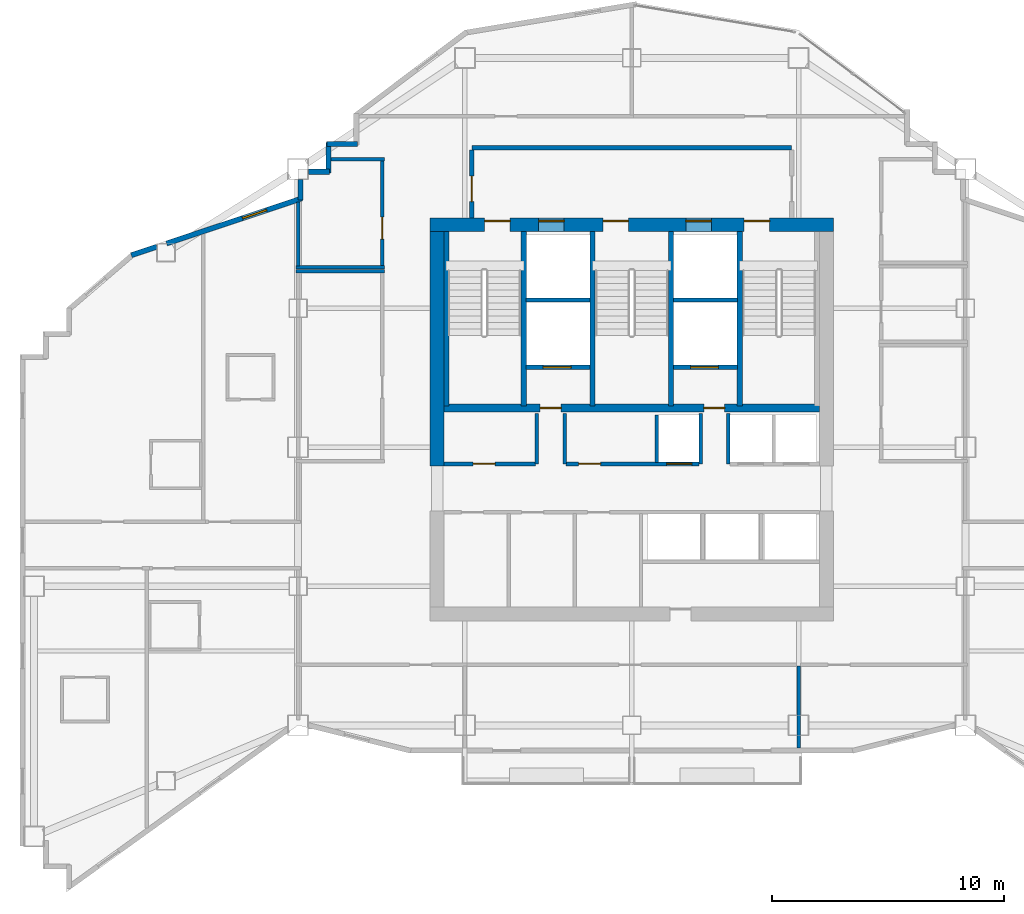
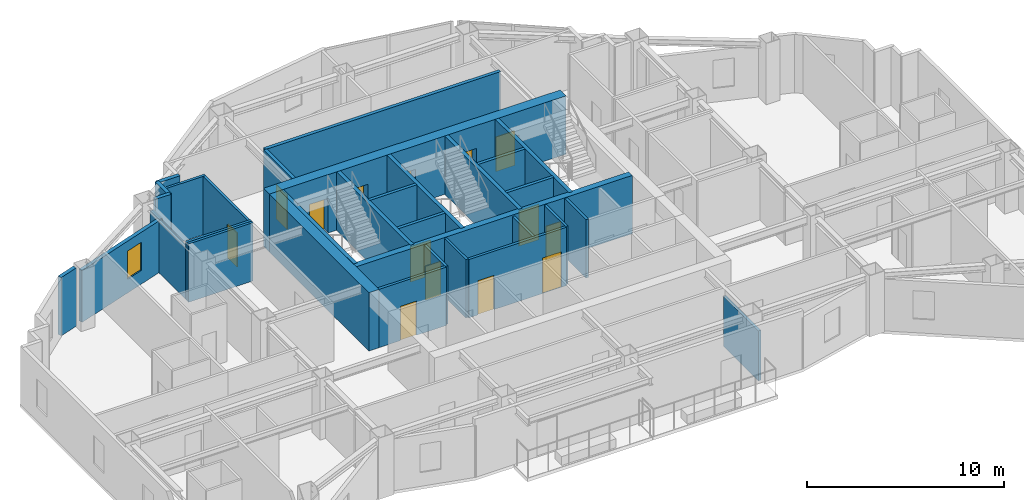
# One storey, part 6 of 10: 33 walls, 14 doors, 1 window, 15 openings.
"""IFC4 building model written with IfcOpenShell, lengths in metres."""

import ifcopenshell
import ifcopenshell.guid

model = None  # the IFC model being written
_history = None  # IfcOwnerHistory: only IFC2X3 demands one
_inside = {}  # id of a spatial element -> (the spatial element, [elements in it])
_under = {}  # id of a project, library or spatial element -> (it, [spatial elements below it])
_declared = {}  # id of a project -> (the project, [libraries it declares])
_typed = {}  # id of a type object -> (the type object, [elements of that type])
_made_of = {}  # id of a material, layer set ... -> (it, [elements and type objects made of it])


def new_model(schema):
    """Start an empty IFC model of exactly this schema.

    Asked for "IFC4X3", IfcOpenShell would pick the latest addendum, in which some entities
    have other attributes; the version numbers below select the first issue.
    IFC2X3 requires an IfcOwnerHistory on every rooted entity: one is made here for all.
    """
    global model, _history
    if schema == "IFC4X3":
        model = ifcopenshell.file(schema_version=(4, 3, 0, 0))
    else:
        model = ifcopenshell.file(schema=schema)
    _inside.clear()
    _under.clear()
    _declared.clear()
    _typed.clear()
    _made_of.clear()
    _history = None
    if model.schema == "IFC2X3":
        org = make("IfcOrganization", Name="unknown")
        user = make(
            "IfcPersonAndOrganization",
            ThePerson=make("IfcPerson", FamilyName="unknown"),
            TheOrganization=org,
        )
        app = make(
            "IfcApplication",
            ApplicationDeveloper=org,
            Version="unknown",
            ApplicationFullName="unknown",
            ApplicationIdentifier="unknown",
        )
        _history = make(
            "IfcOwnerHistory",
            OwningUser=user,
            OwningApplication=app,
            ChangeAction="ADDED",
            CreationDate=0,
        )
    return model


def make(cls, **values):
    """One entity of the class cls with the attributes given. An attribute that is None is left unset."""
    return model.create_entity(
        cls, **{name: value for name, value in values.items() if value is not None}
    )


def rooted(cls, **values):
    """An entity with a GlobalId (a new one), such as an element, a storey or a relation."""
    return make(cls, GlobalId=ifcopenshell.guid.new(), OwnerHistory=_history, **values)


def si_unit(unit_type, name, prefix=None):
    """IfcSIUnit, for example si_unit("LENGTHUNIT", "METRE", prefix="MILLI")."""
    return make("IfcSIUnit", UnitType=unit_type, Prefix=prefix, Name=name)


def assignment(units):
    """IfcUnitAssignment: the units of a project."""
    return None if units is None else make("IfcUnitAssignment", Units=units)


def point(xyz):
    """IfcCartesianPoint."""
    return None if xyz is None else make("IfcCartesianPoint", Coordinates=xyz)


def direction(xyz):
    """IfcDirection."""
    return None if xyz is None else make("IfcDirection", DirectionRatios=xyz)


def frame(location, z_axis=None, x_axis=None):
    """IfcAxis2Placement3D, a coordinate frame: its origin and axes. An axis left out is left unset."""
    return make(
        "IfcAxis2Placement3D",
        Location=point(location),
        Axis=direction(z_axis),
        RefDirection=direction(x_axis),
    )


def frame_2d(location, x_axis=None):
    """IfcAxis2Placement2D, a coordinate frame in the plane: its origin and x axis."""
    return make(
        "IfcAxis2Placement2D", Location=point(location), RefDirection=direction(x_axis)
    )


def origin():
    """The frame at (0, 0, 0) with its axes left unset."""
    return frame((0.0, 0.0, 0.0))


def place(relative_to, where):
    """IfcLocalPlacement: puts the frame where relative to a parent placement (None: the world)."""
    return make(
        "IfcLocalPlacement", PlacementRelTo=relative_to, RelativePlacement=where
    )


def context(
    kind, dimensions, precision=None, world=None, true_north=None, identifier=None
):
    """IfcGeometricRepresentationContext, for example the 3D "Model" context."""
    return make(
        "IfcGeometricRepresentationContext",
        ContextIdentifier=identifier,
        ContextType=kind,
        CoordinateSpaceDimension=dimensions,
        Precision=precision,
        WorldCoordinateSystem=world,
        TrueNorth=true_north,
    )


def subcontext(parent, identifier, kind, view, scale=None):
    """IfcGeometricRepresentationSubContext, for example "Body" below "Model"."""
    return make(
        "IfcGeometricRepresentationSubContext",
        ContextIdentifier=identifier,
        ContextType=kind,
        ParentContext=parent,
        TargetScale=scale,
        TargetView=view,
    )


def project(units=None, contexts=None):
    """IfcProject with its units and contexts."""
    return rooted(
        "IfcProject",
        Name="project",
        RepresentationContexts=contexts,
        UnitsInContext=assignment(units),
    )


def spatial(cls, under=None, at=None, **own):
    """A site, building, storey or space (cls), placed at a placement, below another one or the project."""
    s = rooted(cls, ObjectPlacement=at, **own)
    if under is not None:
        _under.setdefault(under.id(), (under, []))[1].append(s)
    return s


def profile(cls, at=None, kind="AREA", **sizes):
    """A parametric profile (cls). Its sizes go by their IFC names, for example OverallWidth=200.0."""
    return make(cls, ProfileType=kind, Position=at, **sizes)


def rectangle(**sizes):
    """IfcRectangleProfileDef."""
    return profile("IfcRectangleProfileDef", **sizes)


def extrude(swept, where, along, depth):
    """IfcExtrudedAreaSolid: the profile swept, set in the frame where, extruded along a direction by depth."""
    return make(
        "IfcExtrudedAreaSolid",
        SweptArea=swept,
        Position=where,
        ExtrudedDirection=direction(along),
        Depth=depth,
    )


def shape(context_of_items, identifier, shape_type, items):
    """IfcShapeRepresentation: the items that make up one representation, for example the "Body"."""
    return make(
        "IfcShapeRepresentation",
        ContextOfItems=context_of_items,
        RepresentationIdentifier=identifier,
        RepresentationType=shape_type,
        Items=items,
    )


def material(Name=None, Category=None):
    """IfcMaterial."""
    return make("IfcMaterial", Name=Name, Category=Category)


def layer(
    of_material, thickness, ventilated=None, Name=None, Category=None, Priority=None
):
    """IfcMaterialLayer: one layer of a wall or slab, of a material (None: an air gap)."""
    return make(
        "IfcMaterialLayer",
        Material=of_material,
        LayerThickness=thickness,
        IsVentilated=ventilated,
        Name=Name,
        Category=Category,
        Priority=Priority,
    )


def layer_set(layers, Name=None):
    """IfcMaterialLayerSet."""
    return make("IfcMaterialLayerSet", MaterialLayers=layers, LayerSetName=Name)


def made_of(thing, what):
    """Note that an element or type object is made of a material, layer set ...; save() writes the relation."""
    if what is not None:
        _made_of.setdefault(what.id(), (what, []))[1].append(thing)
    return thing


def type_object(cls, material=None, **own):
    """A type object (cls), such as IfcWallType, which elements share."""
    return made_of(rooted(cls, **own), material)


def element(
    cls,
    number,
    at=None,
    inside=None,
    cuts=None,
    type_object=None,
    material=None,
    context=None,
    identifier="Body",
    shape_type=None,
    held_by="IfcProductDefinitionShape",
    body=None,
    shapes=None,
    **own,
):
    """One element of the class cls, such as IfcWall. Its Tag is "e" and its number.

    at: its placement. inside: the storey or other place that contains it. cuts: it is an
    opening in that element (IfcRelVoidsElement). A single representation is given by context,
    identifier, shape_type and body (its items); several are given by shapes. held_by: the class
    of the entity that holds the representations. save() writes the other relations.
    """
    e = rooted(cls, Tag="e%d" % number, ObjectPlacement=at, **own)
    if body is not None:
        shapes = [shape(context, identifier, shape_type, body)]
    if shapes is not None:
        e.Representation = make(held_by, Representations=shapes)
    if inside is not None:
        _inside.setdefault(inside.id(), (inside, []))[1].append(e)
    if cuts is not None:
        rooted(
            "IfcRelVoidsElement", RelatingBuildingElement=cuts, RelatedOpeningElement=e
        )
    if type_object is not None:
        _typed.setdefault(type_object.id(), (type_object, []))[1].append(e)
    return made_of(e, material)


def fill(opening, filler):
    """IfcRelFillsElement: the door or window that sits in an opening."""
    return rooted(
        "IfcRelFillsElement",
        RelatingOpeningElement=opening,
        RelatedBuildingElement=filler,
    )


def aggregate(whole, parts):
    """IfcRelAggregates: a whole, such as a stair, and the parts it consists of."""
    return rooted("IfcRelAggregates", RelatingObject=whole, RelatedObjects=parts)


def save(model, path):
    """Write the relations noted so far, then the file.

    IfcRelAggregates (storeys below a building ...), IfcRelContainedInSpatialStructure (elements
    in a storey), IfcRelDefinesByType, IfcRelAssociatesMaterial and IfcRelDeclares: one each for
    every whole, place, type object, material and project.
    """
    for whole, parts in _under.values():
        aggregate(whole, parts)
    for where, things in _inside.values():
        rooted(
            "IfcRelContainedInSpatialStructure",
            RelatedElements=things,
            RelatingStructure=where,
        )
    for kind, things in _typed.values():
        rooted("IfcRelDefinesByType", RelatedObjects=things, RelatingType=kind)
    for what, things in _made_of.values():
        rooted("IfcRelAssociatesMaterial", RelatedObjects=things, RelatingMaterial=what)
    for by, libraries in _declared.values():
        rooted("IfcRelDeclares", RelatingContext=by, RelatedDefinitions=libraries)
    model.write(path)


model = new_model("IFC4")

# Units and contexts
model_context = context("Model", 3, precision=1e-05, world=origin(), true_north=direction((0.0, 1.0)))
body_context = subcontext(model_context, "Body", "Model", "MODEL_VIEW")
ifc_project = project(units=[si_unit("LENGTHUNIT", "METRE"), si_unit("AREAUNIT", "SQUARE_METRE"), si_unit("VOLUMEUNIT", "CUBIC_METRE"), si_unit("PLANEANGLEUNIT", "RADIAN"), si_unit("MASSUNIT", "GRAM", prefix="KILO")], contexts=[model_context])

# Site, building, storey
site_placement = place(None, origin())
site = spatial("IfcSite", under=ifc_project, at=site_placement, CompositionType="ELEMENT")
building_placement = place(site_placement, origin())
building = spatial("IfcBuilding", under=site, at=building_placement, Name="Haolan Belvedere Tower", CompositionType="ELEMENT")
storey_placement = place(building_placement, frame((0.0, 0.0, 180.39990234375)))
storey = spatial("IfcBuildingStorey", under=building, at=storey_placement, Name="L45", CompositionType="ELEMENT", Elevation=180.39990234375)

# Wall, openings, doors
ifc_material_1 = material(Name="Concrete C60/75", Category="concrete")
ifc_layer_1 = layer(ifc_material_1, 0.60009765625, Name="Concrete C60/75")
ifc_layer_set_1 = layer_set([ifc_layer_1], Name="Concrete C60/75")
wall_type_1 = type_object("IfcWallType", Name="WL-CORE-600", PredefinedType="SHEAR", material=ifc_layer_set_1)
wall_1_placement = place(storey_placement, frame((29.699951171875, 43.199951171875, 0.0), z_axis=(0.0, 0.0, 1.0), x_axis=(1.0, 0.0, 0.0)))
wall_1 = element("IfcWall", 1, at=wall_1_placement, inside=storey, type_object=wall_type_1, Name="L45 central core north shear wall", PredefinedType="SHEAR", context=body_context, shape_type="SweptSolid", body=[
    extrude(rectangle(XDim=17.400146484375, YDim=0.60009765625, at=frame_2d((8.7001953125, 0.0))), origin(), (0.0, 0.0, 1.0), 3.6201171875),
])
opening_1_placement = place(wall_1_placement, frame((2.35009765625, 0.0, 0.0)))
opening_1 = element("IfcOpeningElement", 2, at=opening_1_placement, cuts=wall_1, Name="Opening FD-03", PredefinedType="OPENING", context=body_context, shape_type="SweptSolid", body=[
    extrude(rectangle(XDim=1.10009765625, YDim=2.14990234375, at=frame_2d((0.550048828125, 1.074951171875))), frame((0.0, 0.31005859375, 0.0), z_axis=(0.0, -1.0, 0.0), x_axis=(1.0, 0.0, 0.0)), (0.0, 0.0, 1.0), 0.6201171875),
])
opening_2_placement = place(wall_1_placement, frame((7.4599609375, 0.0, 0.0)))
opening_2 = element("IfcOpeningElement", 3, at=opening_2_placement, cuts=wall_1, Name="Opening FD-03", PredefinedType="OPENING", context=body_context, shape_type="SweptSolid", body=[
    extrude(rectangle(XDim=1.10009765625, YDim=2.14990234375, at=frame_2d((0.550048828125, 1.074951171875))), frame((0.0, 0.31005859375, 0.0), z_axis=(0.0, -1.0, 0.0), x_axis=(1.0, 0.0, 0.0)), (0.0, 0.0, 1.0), 0.6201171875),
])
opening_3_placement = place(wall_1_placement, frame((13.550048828125, 0.0, 0.0)))
opening_3 = element("IfcOpeningElement", 4, at=opening_3_placement, cuts=wall_1, Name="Opening FD-03", PredefinedType="OPENING", context=body_context, shape_type="SweptSolid", body=[
    extrude(rectangle(XDim=1.10009765625, YDim=2.14990234375, at=frame_2d((0.550048828125, 1.074951171875))), frame((0.0, 0.31005859375, 0.0), z_axis=(0.0, -1.0, 0.0), x_axis=(1.0, 0.0, 0.0)), (0.0, 0.0, 1.0), 0.6201171875),
])
opening_4_placement = place(wall_1_placement, frame((4.679931640625, 0.0, 0.0)))
opening_4 = element("IfcOpeningElement", 5, at=opening_4_placement, cuts=wall_1, Name="Opening LD-01", PredefinedType="OPENING", context=body_context, shape_type="SweptSolid", body=[
    extrude(rectangle(XDim=1.10009765625, YDim=2.199951171875, at=frame_2d((0.550048828125, 1.10009765625))), frame((0.0, 0.31005859375, 0.0), z_axis=(0.0, -1.0, 0.0), x_axis=(1.0, 0.0, 0.0)), (0.0, 0.0, 1.0), 0.6201171875),
])
opening_5_placement = place(wall_1_placement, frame((11.0400390625, 0.0, 0.0)))
opening_5 = element("IfcOpeningElement", 6, at=opening_5_placement, cuts=wall_1, Name="Opening LD-01", PredefinedType="OPENING", context=body_context, shape_type="SweptSolid", body=[
    extrude(rectangle(XDim=1.10009765625, YDim=2.199951171875, at=frame_2d((0.550048828125, 1.10009765625))), frame((0.0, 0.31005859375, 0.0), z_axis=(0.0, -1.0, 0.0), x_axis=(1.0, 0.0, 0.0)), (0.0, 0.0, 1.0), 0.6201171875),
])
ifc_material_2 = material(Name="Galvanised fire-rated steel", Category="steel")
door_type_1 = type_object("IfcDoorType", Name="DR-FD90-1100", OperationType="NOTDEFINED", PredefinedType="DOOR", material=ifc_material_2)
door_1_placement = place(opening_1_placement, origin())
door_1 = element("IfcDoor", 7, at=door_1_placement, inside=storey, type_object=door_type_1, Name="L45 door CD-L45-ST1", OperationType="SINGLE_SWING_LEFT", OverallHeight=2.14990234375, OverallWidth=1.10009765625, PredefinedType="DOOR", context=body_context, shape_type="SweptSolid", body=[
    extrude(rectangle(XDim=1.10009765625, YDim=2.14990234375, at=frame_2d((0.550048828125, 1.074951171875))), frame((0.0, 0.18505859375, 0.0), z_axis=(0.0, -1.0, 0.0), x_axis=(1.0, 0.0, 0.0)), (0.0, 0.0, 1.0), 0.050048828125),
])
fill(opening_1, door_1)
door_2_placement = place(opening_2_placement, origin())
door_2 = element("IfcDoor", 8, at=door_2_placement, inside=storey, type_object=door_type_1, Name="L45 door CD-L45-ST3", OperationType="SINGLE_SWING_LEFT", OverallHeight=2.14990234375, OverallWidth=1.10009765625, PredefinedType="DOOR", context=body_context, shape_type="SweptSolid", body=[
    extrude(rectangle(XDim=1.10009765625, YDim=2.14990234375, at=frame_2d((0.550048828125, 1.074951171875))), frame((0.0, 0.18505859375, 0.0), z_axis=(0.0, -1.0, 0.0), x_axis=(1.0, 0.0, 0.0)), (0.0, 0.0, 1.0), 0.050048828125),
])
fill(opening_2, door_2)
door_3_placement = place(opening_3_placement, origin())
door_3 = element("IfcDoor", 9, at=door_3_placement, inside=storey, type_object=door_type_1, Name="L45 door CD-L45-ST2", OperationType="SINGLE_SWING_RIGHT", OverallHeight=2.14990234375, OverallWidth=1.10009765625, PredefinedType="DOOR", context=body_context, shape_type="SweptSolid", body=[
    extrude(rectangle(XDim=1.10009765625, YDim=2.14990234375, at=frame_2d((0.550048828125, 1.074951171875))), frame((0.0, 0.18505859375, 0.0), z_axis=(0.0, -1.0, 0.0), x_axis=(1.0, 0.0, 0.0)), (0.0, 0.0, 1.0), 0.050048828125),
])
fill(opening_3, door_3)
ifc_material_3 = material(Name="Brushed champagne stainless steel 316L", Category="steel")
door_type_2 = type_object("IfcDoorType", Name="DR-LIFT-1100", OperationType="SLIDING_TO_LEFT", PredefinedType="DOOR", material=ifc_material_3)
door_4_placement = place(opening_4_placement, origin())
door_4 = element("IfcDoor", 10, at=door_4_placement, inside=storey, type_object=door_type_2, Name="L45 door LD-L45-FF1", OperationType="SLIDING_TO_LEFT", OverallHeight=2.199951171875, OverallWidth=1.10009765625, PredefinedType="DOOR", context=body_context, shape_type="SweptSolid", body=[
    extrude(rectangle(XDim=1.10009765625, YDim=2.199951171875, at=frame_2d((0.550048828125, 1.10009765625))), frame((0.0, 0.18505859375, 0.0), z_axis=(0.0, -1.0, 0.0), x_axis=(1.0, 0.0, 0.0)), (0.0, 0.0, 1.0), 0.050048828125),
])
fill(opening_4, door_4)
door_5_placement = place(opening_5_placement, origin())
door_5 = element("IfcDoor", 11, at=door_5_placement, inside=storey, type_object=door_type_2, Name="L45 door LD-L45-FF2", OperationType="SLIDING_TO_LEFT", OverallHeight=2.199951171875, OverallWidth=1.10009765625, PredefinedType="DOOR", context=body_context, shape_type="SweptSolid", body=[
    extrude(rectangle(XDim=1.10009765625, YDim=2.199951171875, at=frame_2d((0.550048828125, 1.10009765625))), frame((0.0, 0.18505859375, 0.0), z_axis=(0.0, -1.0, 0.0), x_axis=(1.0, 0.0, 0.0)), (0.0, 0.0, 1.0), 0.050048828125),
])
fill(opening_5, door_5)

# Walls
wall_2_placement = place(storey_placement, frame((30.0, 32.800048828125, 0.0), z_axis=(0.0, 0.0, 1.0), x_axis=(0.0, 1.0, 0.0)))
element("IfcWall", 12, at=wall_2_placement, inside=storey, type_object=wall_type_1, Name="L45 central core shear wall WN", PredefinedType="SHEAR", context=body_context, shape_type="SweptSolid", body=[
    extrude(rectangle(XDim=10.099853515625, YDim=0.60009765625, at=frame_2d((5.0498046875, 0.0))), origin(), (0.0, 0.0, 1.0), 3.6201171875),
])
ifc_material_4 = material(Name="Precast concrete C40/50", Category="concrete")
ifc_layer_2 = layer(ifc_material_4, 0.219970703125, Name="Precast concrete C40/50")
ifc_layer_set_2 = layer_set([ifc_layer_2], Name="Precast concrete C40/50")
wall_type_2 = type_object("IfcWallType", Name="WL-EXT-220", PredefinedType="SOLIDWALL", material=ifc_layer_set_2)
for number, where, z_axis, x_axis, name in (
    (13, (26.56494140625, 46.68994140625, 0.0), (0.0, 0.0, 1.0), (-1.0, 0.0, 0.0), "L45 pale-metal exterior spandrel wall 25.1"),
    (14, (25.31005859375, 46.7451171875, 0.0), (0.0, 0.0, 1.0), (0.0, -1.0, 0.0), "L45 pale-metal exterior spandrel wall 26.1"),
):
    element("IfcWall", number, at=place(storey_placement, frame(where, z_axis=z_axis, x_axis=x_axis)), inside=storey, type_object=wall_type_2, Name=name, PredefinedType="SOLIDWALL", context=body_context, shape_type="SweptSolid", body=[
        extrude(rectangle(XDim=1.31005859375, YDim=0.219970703125, at=frame_2d((0.655029296875, 0.0))), origin(), (0.0, 0.0, 1.0), 3.6201171875),
    ])
wall_3_placement = place(storey_placement, frame((25.364990234375, 45.489990234375, 0.0), z_axis=(0.0, 0.0, 1.0), x_axis=(-1.0, 0.0, 0.0)))
element("IfcWall", 15, at=wall_3_placement, inside=storey, type_object=wall_type_2, Name="L45 pale-metal exterior spandrel wall 27.1", PredefinedType="SOLIDWALL", context=body_context, shape_type="SweptSolid", body=[
    extrude(rectangle(XDim=0.923095703125, YDim=0.219970703125, at=frame_2d((0.46142578125, 0.0))), origin(), (0.0, 0.0, 1.0), 3.6201171875),
])
wall_4_placement = place(storey_placement, frame((24.110107421875, 45.157958984375, 0.0), z_axis=(0.0, 0.0, 1.0), x_axis=(0.0, -1.0, 0.0)))
element("IfcWall", 16, at=wall_4_placement, inside=storey, type_object=wall_type_2, Name="L45 pale-metal exterior spandrel wall 28.1", PredefinedType="SOLIDWALL", context=body_context, shape_type="SweptSolid", body=[
    extrude(rectangle(XDim=0.892333984375, YDim=0.219970703125, at=frame_2d((0.4462890625, 0.0))), origin(), (0.0, 0.0, 1.0), 3.215087890625),
])

# Wall, opening, window
wall_5_placement = place(storey_placement, frame((24.162109375, 44.338134765625, 0.0), z_axis=(0.0, 0.0, 1.0), x_axis=(-0.948687265055, -0.316215864755, 0.0)))
wall_5 = element("IfcWall", 17, at=wall_5_placement, inside=storey, type_object=wall_type_2, Name="L45 pale-metal exterior spandrel wall 29.1", PredefinedType="SOLIDWALL", context=body_context, shape_type="SweptSolid", body=[
    extrude(rectangle(XDim=6.154052734375, YDim=0.219970703125, at=frame_2d((3.0771484375, 0.0))), origin(), (0.0, 0.0, 1.0), 3.215087890625),
])
opening_6_placement = place(wall_5_placement, frame((1.60009765625, 0.0, 0.85009765625)))
opening_6 = element("IfcOpeningElement", 18, at=opening_6_placement, cuts=wall_5, Name="Opening W-03", PredefinedType="OPENING", context=body_context, shape_type="SweptSolid", body=[
    extrude(rectangle(XDim=1.10009765625, YDim=1.75, at=frame_2d((0.550048828125, 0.875))), frame((0.0, 0.119873046875, 0.0), z_axis=(0.0, -1.0, 0.0), x_axis=(1.0, 0.0, 0.0)), (0.0, 0.0, 1.0), 0.239990234375),
])
ifc_material_5 = material(Name="Anodised aluminium 6063-T6 and Low-E glass", Category="aluminium")
window_type = type_object("IfcWindowType", Name="WN-DECO-Z3", PartitioningType="SINGLE_PANEL", PredefinedType="WINDOW", material=ifc_material_5)
window_placement = place(opening_6_placement, origin())
window = element("IfcWindow", 19, at=window_placement, inside=storey, type_object=window_type, Name="L45 Art Deco chevron window 1", OverallHeight=1.75, OverallWidth=1.10009765625, PartitioningType="SINGLE_PANEL", PredefinedType="WINDOW", context=body_context, shape_type="SweptSolid", body=[
    extrude(rectangle(XDim=1.10009765625, YDim=1.75, at=frame_2d((0.550048828125, 0.875))), frame((0.0, 0.030029296875, 0.0), z_axis=(0.0, -1.0, 0.0), x_axis=(1.0, 0.0, 0.0)), (0.0, 0.0, 1.0), 0.06005859375),
])
fill(opening_6, window)

# Walls
wall_6_placement = place(storey_placement, frame((17.907958984375, 42.25341796875, 0.0), z_axis=(0.0, 0.0, 1.0), x_axis=(-0.948662335685, -0.316290646166, 0.0)))
element("IfcWall", 20, at=wall_6_placement, inside=storey, type_object=wall_type_2, Name="L45 pale-metal exterior spandrel wall 29.2", PredefinedType="SOLIDWALL", context=body_context, shape_type="SweptSolid", body=[
    extrude(rectangle(XDim=1.164794921875, YDim=0.219970703125, at=frame_2d((0.58251953125, 0.0))), origin(), (0.0, 0.0, 1.0), 3.6201171875),
])
ifc_material_6 = material(Name="Concrete C40/50", Category="concrete")
ifc_layer_3 = layer(ifc_material_6, 0.199951171875, Name="Concrete C40/50")
ifc_layer_set_3 = layer_set([ifc_layer_3], Name="Concrete C40/50")
wall_type_3 = type_object("IfcWallType", Name="WL-FIRE-200", PredefinedType="SOLIDWALL", material=ifc_layer_set_3)
wall_7_placement = place(storey_placement, frame((31.5, 46.52001953125, 0.0), z_axis=(0.0, 0.0, 1.0), x_axis=(1.0, 0.0, 0.0)))
element("IfcWall", 21, at=wall_7_placement, inside=storey, type_object=wall_type_3, Name="L45 interior partition IW-L45-FFL-N", PredefinedType="SOLIDWALL", context=body_context, shape_type="SweptSolid", body=[
    extrude(rectangle(XDim=13.800048828125, YDim=0.199951171875, at=frame_2d((6.89990234375, 0.0))), origin(), (0.0, 0.0, 1.0), 3.6201171875),
])

# Wall, opening, door
wall_8_placement = place(storey_placement, frame((31.5, 43.5, 0.0), z_axis=(0.0, 0.0, 1.0), x_axis=(0.0, 1.0, 0.0)))
wall_8 = element("IfcWall", 22, at=wall_8_placement, inside=storey, type_object=wall_type_3, Name="L45 interior partition IW-L45-FFL-W", PredefinedType="SOLIDWALL", context=body_context, shape_type="SweptSolid", body=[
    extrude(rectangle(XDim=2.93505859375, YDim=0.199951171875, at=frame_2d((1.467529296875, 0.0))), origin(), (0.0, 0.0, 1.0), 3.6201171875),
])
opening_7_placement = place(wall_8_placement, frame((1.800048828125, 0.0, 0.0), z_axis=(0.0, 0.0, 1.0), x_axis=(-1.0, 0.0, 0.0)))
opening_7 = element("IfcOpeningElement", 23, at=opening_7_placement, cuts=wall_8, Name="Opening FD-03", PredefinedType="OPENING", context=body_context, shape_type="SweptSolid", body=[
    extrude(rectangle(XDim=1.10009765625, YDim=2.14990234375, at=frame_2d((0.550048828125, 1.074951171875))), frame((0.0, 0.10986328125, 0.0), z_axis=(0.0, -1.0, 0.0), x_axis=(1.0, 0.0, 0.0)), (0.0, 0.0, 1.0), 0.219970703125),
])
door_6_placement = place(opening_7_placement, origin())
door_6 = element("IfcDoor", 24, at=door_6_placement, inside=storey, type_object=door_type_1, Name="L45 door ID-L45-FFL-DW", OperationType="SINGLE_SWING_LEFT", OverallHeight=2.14990234375, OverallWidth=1.10009765625, PredefinedType="DOOR", context=body_context, shape_type="SweptSolid", body=[
    extrude(rectangle(XDim=1.10009765625, YDim=2.14990234375, at=frame_2d((0.550048828125, 1.074951171875))), frame((0.0, 0.02490234375, 0.0), z_axis=(0.0, -1.0, 0.0), x_axis=(1.0, 0.0, 0.0)), (0.0, 0.0, 1.0), 0.050048828125),
])
fill(opening_7, door_6)

# Walls
ifc_material_7 = material(Name="Double gypsum acoustic stud partition", Category="masonry")
ifc_layer_4 = layer(ifc_material_7, 0.14990234375, Name="Double gypsum acoustic stud partition")
ifc_layer_set_4 = layer_set([ifc_layer_4], Name="Double gypsum acoustic stud partition")
wall_type_4 = type_object("IfcWallType", Name="WL-PART-150", PredefinedType="PARTITIONING", material=ifc_layer_set_4)
wall_9_placement = place(storey_placement, frame((23.919921875, 41.199951171875, 0.0), z_axis=(0.0, 0.0, 1.0), x_axis=(1.0, 0.0, 0.0)))
element("IfcWall", 25, at=wall_9_placement, inside=storey, type_object=wall_type_4, Name="L45 interior partition IW-L45-SAL-N", PredefinedType="PARTITIONING", context=body_context, shape_type="SweptSolid", body=[
    extrude(rectangle(XDim=3.800048828125, YDim=0.14990234375, at=frame_2d((1.89990234375, 0.0))), origin(), (0.0, 0.0, 1.0), 3.6201171875),
])
wall_10_placement = place(storey_placement, frame((25.412109375, 46.02001953125, 0.0), z_axis=(0.0, 0.0, 1.0), x_axis=(1.0, 0.0, 0.0)))
element("IfcWall", 26, at=wall_10_placement, inside=storey, type_object=wall_type_4, Name="L45 interior partition IW-L45-HSK-N", PredefinedType="PARTITIONING", context=body_context, shape_type="SweptSolid", body=[
    extrude(rectangle(XDim=2.307861328125, YDim=0.14990234375, at=frame_2d((1.15380859375, 0.0))), origin(), (0.0, 0.0, 1.0), 3.6201171875),
])
wall_11_placement = place(storey_placement, frame((23.919921875, 41.360107421875, 0.0), z_axis=(0.0, 0.0, 1.0), x_axis=(1.0, 0.0, 0.0)))
element("IfcWall", 27, at=wall_11_placement, inside=storey, type_object=wall_type_4, Name="L45 interior partition IW-L45-HSK-S", PredefinedType="PARTITIONING", context=body_context, shape_type="SweptSolid", body=[
    extrude(rectangle(XDim=3.800048828125, YDim=0.14990234375, at=frame_2d((1.89990234375, 0.0))), origin(), (0.0, 0.0, 1.0), 3.6201171875),
])
wall_12_placement = place(storey_placement, frame((24.0, 41.419921875, 0.0), z_axis=(0.0, 0.0, 1.0), x_axis=(0.0, 1.0, 0.0)))
element("IfcWall", 28, at=wall_12_placement, inside=storey, type_object=wall_type_4, Name="L45 interior partition IW-L45-HSK-W", PredefinedType="PARTITIONING", context=body_context, shape_type="SweptSolid", body=[
    extrude(rectangle(XDim=2.756591796875, YDim=0.14990234375, at=frame_2d((1.37841796875, 0.0))), origin(), (0.0, 0.0, 1.0), 3.215087890625),
])

# Wall, opening, door
wall_13_placement = place(storey_placement, frame((27.639892578125, 41.419921875, 0.0), z_axis=(0.0, 0.0, 1.0), x_axis=(0.0, 1.0, 0.0)))
wall_13 = element("IfcWall", 29, at=wall_13_placement, inside=storey, type_object=wall_type_4, Name="L45 interior partition IW-L45-HSK-E", PredefinedType="PARTITIONING", context=body_context, shape_type="SweptSolid", body=[
    extrude(rectangle(XDim=4.5400390625, YDim=0.14990234375, at=frame_2d((2.27001953125, 0.0))), origin(), (0.0, 0.0, 1.0), 3.6201171875),
])
opening_8_placement = place(wall_13_placement, frame((2.10986328125, 0.0, 0.0), z_axis=(0.0, 0.0, 1.0), x_axis=(-1.0, 0.0, 0.0)))
opening_8 = element("IfcOpeningElement", 30, at=opening_8_placement, cuts=wall_13, Name="Opening ID-03", PredefinedType="OPENING", context=body_context, shape_type="SweptSolid", body=[
    extrude(rectangle(XDim=0.949951171875, YDim=2.1201171875, at=frame_2d((0.47509765625, 1.06005859375))), frame((0.0, 0.0849609375, 0.0), z_axis=(0.0, -1.0, 0.0), x_axis=(1.0, 0.0, 0.0)), (0.0, 0.0, 1.0), 0.169921875),
])
ifc_material_8 = material(Name="Painted solid-core timber", Category="wood")
door_type_3 = type_object("IfcDoorType", Name="DR-INT-950", OperationType="NOTDEFINED", PredefinedType="DOOR", material=ifc_material_8)
door_7_placement = place(opening_8_placement, origin())
door_7 = element("IfcDoor", 31, at=door_7_placement, inside=storey, type_object=door_type_3, Name="L45 door ID-L45-HSK", OperationType="SINGLE_SWING_RIGHT", OverallHeight=2.1201171875, OverallWidth=0.949951171875, PredefinedType="DOOR", context=body_context, shape_type="SweptSolid", body=[
    extrude(rectangle(XDim=0.949951171875, YDim=2.1201171875, at=frame_2d((0.47509765625, 1.06005859375))), frame((0.0, 0.02490234375, 0.0), z_axis=(0.0, -1.0, 0.0), x_axis=(1.0, 0.0, 0.0)), (0.0, 0.0, 1.0), 0.050048828125),
])
fill(opening_8, door_7)

# Walls
wall_14_placement = place(storey_placement, frame((45.60009765625, 20.612060546875, 0.0), z_axis=(0.0, 0.0, 1.0), x_axis=(0.0, 1.0, 0.0)))
element("IfcWall", 32, at=wall_14_placement, inside=storey, type_object=wall_type_4, Name="L45 interior partition IW-L45-KS2-E", PredefinedType="PARTITIONING", context=body_context, shape_type="SweptSolid", body=[
    extrude(rectangle(XDim=3.5478515625, YDim=0.14990234375, at=frame_2d((1.77392578125, 0.0))), origin(), (0.0, 0.0, 1.0), 3.10498046875),
])
ifc_material_9 = material(Name="Gypsum fire shaftwall assembly", Category="masonry")
ifc_layer_5 = layer(ifc_material_9, 0.1650390625, Name="Gypsum fire shaftwall assembly")
ifc_layer_set_5 = layer_set([ifc_layer_5], Name="Gypsum fire shaftwall assembly")
wall_type_5 = type_object("IfcWallType", Name="WL-SHAFT-160", PredefinedType="SOLIDWALL", material=ifc_layer_set_5)
for number, where, z_axis, x_axis, name in (
    (33, (34.31005859375, 32.8798828125, 0.0), (0.0, 0.0, 1.0), (0.0, 1.0, 0.0), "L45 interior partition IW-L45-SVP-W-SV1"),
    (34, (35.510009765625, 32.8798828125, 0.0), (0.0, 0.0, 1.0), (0.0, 1.0, 0.0), "L45 interior partition IW-L45-SVP-E-SV1"),
    (35, (41.3701171875, 32.8798828125, 0.0), (0.0, 0.0, 1.0), (0.0, 1.0, 0.0), "L45 interior partition IW-L45-SVP-W-SV2"),
    (36, (42.570068359375, 32.8798828125, 0.0), (0.0, 0.0, 1.0), (0.0, 1.0, 0.0), "L45 interior partition IW-L45-SVP-E-SV2"),
):
    element("IfcWall", number, at=place(storey_placement, frame(where, z_axis=z_axis, x_axis=x_axis)), inside=storey, type_object=wall_type_5, Name=name, PredefinedType="SOLIDWALL", context=body_context, shape_type="SweptSolid", body=[
        extrude(rectangle(XDim=2.170166015625, YDim=0.14990234375, at=frame_2d((1.0849609375, 0.0))), origin(), (0.0, 0.0, 1.0), 3.6201171875),
    ])

# Wall, opening, door
wall_15_placement = place(storey_placement, frame((30.300048828125, 32.8798828125, 0.0), z_axis=(0.0, 0.0, 1.0), x_axis=(1.0, 0.0, 0.0)))
wall_15 = element("IfcWall", 37, at=wall_15_placement, inside=storey, type_object=wall_type_5, Name="L45 interior partition IW-L45-ROW-PN1", PredefinedType="SOLIDWALL", context=body_context, shape_type="SweptSolid", body=[
    extrude(rectangle(XDim=3.949951171875, YDim=0.159912109375, at=frame_2d((1.97509765625, 0.0))), origin(), (0.0, 0.0, 1.0), 3.6201171875),
])
opening_9_placement = place(wall_15_placement, frame((2.199951171875, 0.0, 0.0), z_axis=(0.0, 0.0, 1.0), x_axis=(-1.0, 0.0, 0.0)))
opening_9 = element("IfcOpeningElement", 38, at=opening_9_placement, cuts=wall_15, Name="Opening ID-03", PredefinedType="OPENING", context=body_context, shape_type="SweptSolid", body=[
    extrude(rectangle(XDim=0.949951171875, YDim=2.1201171875, at=frame_2d((0.47509765625, 1.06005859375))), frame((0.0, 0.08984375, 0.0), z_axis=(0.0, -1.0, 0.0), x_axis=(1.0, 0.0, 0.0)), (0.0, 0.0, 1.0), 0.179931640625),
])
door_8_placement = place(opening_9_placement, origin())
door_8 = element("IfcDoor", 39, at=door_8_placement, inside=storey, type_object=door_type_3, Name="L45 door ID-L45-CD-RPLW", OperationType="SINGLE_SWING_LEFT", OverallHeight=2.1201171875, OverallWidth=0.949951171875, PredefinedType="DOOR", context=body_context, shape_type="SweptSolid", body=[
    extrude(rectangle(XDim=0.949951171875, YDim=2.1201171875, at=frame_2d((0.47509765625, 1.06005859375))), frame((0.0, 0.02490234375, 0.0), z_axis=(0.0, -1.0, 0.0), x_axis=(1.0, 0.0, 0.0)), (0.0, 0.0, 1.0), 0.050048828125),
])
fill(opening_9, door_8)

# Wall, openings, doors
wall_16_placement = place(storey_placement, frame((35.570068359375, 32.8798828125, 0.0), z_axis=(0.0, 0.0, 1.0), x_axis=(1.0, 0.0, 0.0)))
wall_16 = element("IfcWall", 40, at=wall_16_placement, inside=storey, type_object=wall_type_5, Name="L45 interior partition IW-L45-ROW-PN2", PredefinedType="SOLIDWALL", context=body_context, shape_type="SweptSolid", body=[
    extrude(rectangle(XDim=5.739990234375, YDim=0.159912109375, at=frame_2d((2.8701171875, 0.0))), origin(), (0.0, 0.0, 1.0), 3.6201171875),
])
opening_10_placement = place(wall_16_placement, frame((1.489990234375, 0.0, 0.0), z_axis=(0.0, 0.0, 1.0), x_axis=(-1.0, 0.0, 0.0)))
opening_10 = element("IfcOpeningElement", 41, at=opening_10_placement, cuts=wall_16, Name="Opening ID-03", PredefinedType="OPENING", context=body_context, shape_type="SweptSolid", body=[
    extrude(rectangle(XDim=0.949951171875, YDim=2.1201171875, at=frame_2d((0.47509765625, 1.06005859375))), frame((0.0, 0.08984375, 0.0), z_axis=(0.0, -1.0, 0.0), x_axis=(1.0, 0.0, 0.0)), (0.0, 0.0, 1.0), 0.179931640625),
])
opening_11_placement = place(wall_16_placement, frame((5.43017578125, 0.0, 0.0), z_axis=(0.0, 0.0, 1.0), x_axis=(-1.0, 0.0, 0.0)))
opening_11 = element("IfcOpeningElement", 42, at=opening_11_placement, cuts=wall_16, Name="Opening LD-01", PredefinedType="OPENING", context=body_context, shape_type="SweptSolid", body=[
    extrude(rectangle(XDim=1.10009765625, YDim=2.199951171875, at=frame_2d((0.550048828125, 1.10009765625))), frame((0.0, 0.08984375, 0.0), z_axis=(0.0, -1.0, 0.0), x_axis=(1.0, 0.0, 0.0)), (0.0, 0.0, 1.0), 0.179931640625),
])
door_9_placement = place(opening_10_placement, origin())
door_9 = element("IfcDoor", 43, at=door_9_placement, inside=storey, type_object=door_type_3, Name="L45 door ID-L45-CD-RPLE", OperationType="SINGLE_SWING_RIGHT", OverallHeight=2.1201171875, OverallWidth=0.949951171875, PredefinedType="DOOR", context=body_context, shape_type="SweptSolid", body=[
    extrude(rectangle(XDim=0.949951171875, YDim=2.1201171875, at=frame_2d((0.47509765625, 1.06005859375))), frame((0.0, 0.02490234375, 0.0), z_axis=(0.0, -1.0, 0.0), x_axis=(1.0, 0.0, 0.0)), (0.0, 0.0, 1.0), 0.050048828125),
])
fill(opening_10, door_9)
door_10_placement = place(opening_11_placement, origin())
door_10 = element("IfcDoor", 44, at=door_10_placement, inside=storey, type_object=door_type_2, Name="L45 door ID-L45-LD-PH1", OperationType="SLIDING_TO_RIGHT", OverallHeight=2.199951171875, OverallWidth=1.10009765625, PredefinedType="DOOR", context=body_context, shape_type="SweptSolid", body=[
    extrude(rectangle(XDim=1.10009765625, YDim=2.199951171875, at=frame_2d((0.550048828125, 1.10009765625))), frame((0.0, 0.02490234375, 0.0), z_axis=(0.0, -1.0, 0.0), x_axis=(1.0, 0.0, 0.0)), (0.0, 0.0, 1.0), 0.050048828125),
])
fill(opening_11, door_10)

# Walls
wall_17_placement = place(storey_placement, frame((39.469970703125, 32.949951171875, 0.0), z_axis=(0.0, 0.0, 1.0), x_axis=(0.0, 1.0, 0.0)))
element("IfcWall", 45, at=wall_17_placement, inside=storey, type_object=wall_type_5, Name="L45 interior partition IW-L45-DIV-PL4R", PredefinedType="SOLIDWALL", context=body_context, shape_type="SweptSolid", body=[
    extrude(rectangle(XDim=2.050048828125, YDim=0.14990234375, at=frame_2d((1.02490234375, 0.0))), origin(), (0.0, 0.0, 1.0), 3.6201171875),
])
ifc_layer_6 = layer(ifc_material_4, 0.179931640625, Name="Precast concrete C40/50")
ifc_layer_set_6 = layer_set([ifc_layer_6], Name="Precast concrete C40/50")
wall_type_6 = type_object("IfcWallType", Name="WL-SHAFT-180", PredefinedType="SOLIDWALL", material=ifc_layer_set_6)
for number, where, z_axis, x_axis, name in (
    (46, (33.8349609375, 39.949951171875, 0.0), (0.0, 0.0, 1.0), (1.0, 0.0, 0.0), "L45 interior partition IW-L45-FF1-S"),
    (47, (40.195068359375, 39.949951171875, 0.0), (0.0, 0.0, 1.0), (1.0, 0.0, 0.0), "L45 interior partition IW-L45-FF2-S"),
):
    element("IfcWall", number, at=place(storey_placement, frame(where, z_axis=z_axis, x_axis=x_axis)), inside=storey, type_object=wall_type_6, Name=name, PredefinedType="SOLIDWALL", context=body_context, shape_type="SweptSolid", body=[
        extrude(rectangle(XDim=2.77001953125, YDim=0.179931640625, at=frame_2d((1.385009765625, 0.0))), origin(), (0.0, 0.0, 1.0), 3.6201171875),
    ])

# Wall, opening, door
wall_18_placement = place(storey_placement, frame((33.8349609375, 37.050048828125, 0.0), z_axis=(0.0, 0.0, 1.0), x_axis=(1.0, 0.0, 0.0)))
wall_18 = element("IfcWall", 48, at=wall_18_placement, inside=storey, type_object=wall_type_6, Name="L45 interior partition IW-L45-SV1-S", PredefinedType="SOLIDWALL", context=body_context, shape_type="SweptSolid", body=[
    extrude(rectangle(XDim=2.77001953125, YDim=0.179931640625, at=frame_2d((1.385009765625, 0.0))), origin(), (0.0, 0.0, 1.0), 3.6201171875),
])
opening_12_placement = place(wall_18_placement, frame((1.945068359375, 0.0, 0.0), z_axis=(0.0, 0.0, 1.0), x_axis=(-1.0, 0.0, 0.0)))
opening_12 = element("IfcOpeningElement", 49, at=opening_12_placement, cuts=wall_18, Name="Opening LD-02", PredefinedType="OPENING", context=body_context, shape_type="SweptSolid", body=[
    extrude(rectangle(XDim=1.199951171875, YDim=2.199951171875, at=frame_2d((0.60009765625, 1.10009765625))), frame((0.0, 0.099853515625, 0.0), z_axis=(0.0, -1.0, 0.0), x_axis=(1.0, 0.0, 0.0)), (0.0, 0.0, 1.0), 0.199951171875),
])
door_type_4 = type_object("IfcDoorType", Name="DR-LIFT-1200", OperationType="SLIDING_TO_RIGHT", PredefinedType="DOOR", material=ifc_material_3)
door_11_placement = place(opening_12_placement, origin())
door_11 = element("IfcDoor", 50, at=door_11_placement, inside=storey, type_object=door_type_4, Name="L45 door ID-L45-LD-SV1", OperationType="SLIDING_TO_RIGHT", OverallHeight=2.199951171875, OverallWidth=1.199951171875, PredefinedType="DOOR", context=body_context, shape_type="SweptSolid", body=[
    extrude(rectangle(XDim=1.199951171875, YDim=2.199951171875, at=frame_2d((0.60009765625, 1.10009765625))), frame((0.0, 0.02490234375, 0.0), z_axis=(0.0, -1.0, 0.0), x_axis=(1.0, 0.0, 0.0)), (0.0, 0.0, 1.0), 0.050048828125),
])
fill(opening_12, door_11)

wall_19_placement = place(storey_placement, frame((40.195068359375, 37.050048828125, 0.0), z_axis=(0.0, 0.0, 1.0), x_axis=(1.0, 0.0, 0.0)))
wall_19 = element("IfcWall", 51, at=wall_19_placement, inside=storey, type_object=wall_type_6, Name="L45 interior partition IW-L45-SV2-S", PredefinedType="SOLIDWALL", context=body_context, shape_type="SweptSolid", body=[
    extrude(rectangle(XDim=2.77001953125, YDim=0.179931640625, at=frame_2d((1.385009765625, 0.0))), origin(), (0.0, 0.0, 1.0), 3.6201171875),
])
opening_13_placement = place(wall_19_placement, frame((1.945068359375, 0.0, 0.0), z_axis=(0.0, 0.0, 1.0), x_axis=(-1.0, 0.0, 0.0)))
opening_13 = element("IfcOpeningElement", 52, at=opening_13_placement, cuts=wall_19, Name="Opening LD-02", PredefinedType="OPENING", context=body_context, shape_type="SweptSolid", body=[
    extrude(rectangle(XDim=1.199951171875, YDim=2.199951171875, at=frame_2d((0.60009765625, 1.10009765625))), frame((0.0, 0.099853515625, 0.0), z_axis=(0.0, -1.0, 0.0), x_axis=(1.0, 0.0, 0.0)), (0.0, 0.0, 1.0), 0.199951171875),
])
door_12_placement = place(opening_13_placement, origin())
door_12 = element("IfcDoor", 53, at=door_12_placement, inside=storey, type_object=door_type_4, Name="L45 door ID-L45-LD-SV2", OperationType="SLIDING_TO_RIGHT", OverallHeight=2.199951171875, OverallWidth=1.199951171875, PredefinedType="DOOR", context=body_context, shape_type="SweptSolid", body=[
    extrude(rectangle(XDim=1.199951171875, YDim=2.199951171875, at=frame_2d((0.60009765625, 1.10009765625))), frame((0.0, 0.02490234375, 0.0), z_axis=(0.0, -1.0, 0.0), x_axis=(1.0, 0.0, 0.0)), (0.0, 0.0, 1.0), 0.050048828125),
])
fill(opening_13, door_12)

# Walls
ifc_material_10 = material(Name="Concrete C50/60", Category="concrete")
ifc_layer_7 = layer(ifc_material_10, 0.219970703125, Name="Concrete C50/60")
ifc_layer_set_7 = layer_set([ifc_layer_7], Name="Concrete C50/60")
wall_type_7 = type_object("IfcWallType", Name="WL-STAIR-220", PredefinedType="SHEAR", material=ifc_layer_set_7)
for number, where, z_axis, x_axis, name in (
    (54, (30.412109375, 35.389892578125, 0.0), (0.0, 0.0, 1.0), (0.0, 1.0, 0.0), "L45 structural stair core wall ST1W"),
    (55, (33.739990234375, 35.389892578125, 0.0), (0.0, 0.0, 1.0), (0.0, 1.0, 0.0), "L45 structural stair core wall ST1E"),
    (56, (36.699951171875, 35.389892578125, 0.0), (0.0, 0.0, 1.0), (0.0, 1.0, 0.0), "L45 structural stair core wall ST3W"),
    (57, (40.10009765625, 35.389892578125, 0.0), (0.0, 0.0, 1.0), (0.0, 1.0, 0.0), "L45 structural stair core wall ST3E"),
    (58, (43.06005859375, 35.389892578125, 0.0), (0.0, 0.0, 1.0), (0.0, 1.0, 0.0), "L45 structural stair core wall ST2W"),
):
    element("IfcWall", number, at=place(storey_placement, frame(where, z_axis=z_axis, x_axis=x_axis)), inside=storey, type_object=wall_type_7, Name=name, PredefinedType="SHEAR", context=body_context, shape_type="SweptSolid", body=[
        extrude(rectangle(XDim=7.510009765625, YDim=0.219970703125, at=frame_2d((3.7548828125, 0.0))), origin(), (0.0, 0.0, 1.0), 3.6201171875),
    ])

# Wall, openings, doors
ifc_layer_8 = layer(ifc_material_1, 0.360107421875, Name="Concrete C60/75")
ifc_layer_set_8 = layer_set([ifc_layer_8], Name="Concrete C60/75")
wall_type_8 = type_object("IfcWallType", Name="WL-WEB-350", PredefinedType="SHEAR", material=ifc_layer_set_8)
wall_20_placement = place(storey_placement, frame((30.300048828125, 35.2900390625, 0.0), z_axis=(0.0, 0.0, 1.0), x_axis=(1.0, 0.0, 0.0)))
wall_20 = element("IfcWall", 59, at=wall_20_placement, inside=storey, type_object=wall_type_8, Name="L45 central core internal shear web", PredefinedType="SHEAR", context=body_context, shape_type="SweptSolid", body=[
    extrude(rectangle(XDim=16.199951171875, YDim=0.360107421875, at=frame_2d((8.10009765625, 0.0))), origin(), (0.0, 0.0, 1.0), 3.6201171875),
])
opening_14_placement = place(wall_20_placement, frame((5.0498046875, 0.0, 0.0), z_axis=(0.0, 0.0, 1.0), x_axis=(-1.0, 0.0, 0.0)))
opening_14 = element("IfcOpeningElement", 60, at=opening_14_placement, cuts=wall_20, Name="Opening FD-05", PredefinedType="OPENING", context=body_context, shape_type="SweptSolid", body=[
    extrude(rectangle(XDim=0.89990234375, YDim=2.10009765625, at=frame_2d((0.449951171875, 1.050048828125))), frame((0.0, 0.18994140625, 0.0), z_axis=(0.0, -1.0, 0.0), x_axis=(1.0, 0.0, 0.0)), (0.0, 0.0, 1.0), 0.380126953125),
])
opening_15_placement = place(wall_20_placement, frame((12.10986328125, 0.0, 0.0), z_axis=(0.0, 0.0, 1.0), x_axis=(-1.0, 0.0, 0.0)))
opening_15 = element("IfcOpeningElement", 61, at=opening_15_placement, cuts=wall_20, Name="Opening FD-05", PredefinedType="OPENING", context=body_context, shape_type="SweptSolid", body=[
    extrude(rectangle(XDim=0.89990234375, YDim=2.10009765625, at=frame_2d((0.449951171875, 1.050048828125))), frame((0.0, 0.18994140625, 0.0), z_axis=(0.0, -1.0, 0.0), x_axis=(1.0, 0.0, 0.0)), (0.0, 0.0, 1.0), 0.380126953125),
])
door_type_5 = type_object("IfcDoorType", Name="DR-FD60-900", OperationType="NOTDEFINED", PredefinedType="DOOR", material=ifc_material_2)
door_13_placement = place(opening_14_placement, origin())
door_13 = element("IfcDoor", 62, at=door_13_placement, inside=storey, type_object=door_type_5, Name="L45 door CD-L45-SVL-SV1", OperationType="SINGLE_SWING_RIGHT", OverallHeight=2.10009765625, OverallWidth=0.89990234375, PredefinedType="DOOR", context=body_context, shape_type="SweptSolid", body=[
    extrude(rectangle(XDim=0.89990234375, YDim=2.10009765625, at=frame_2d((0.449951171875, 1.050048828125))), frame((0.0, 0.02490234375, 0.0), z_axis=(0.0, -1.0, 0.0), x_axis=(1.0, 0.0, 0.0)), (0.0, 0.0, 1.0), 0.050048828125),
])
fill(opening_14, door_13)
door_14_placement = place(opening_15_placement, origin())
door_14 = element("IfcDoor", 63, at=door_14_placement, inside=storey, type_object=door_type_5, Name="L45 door CD-L45-SVL-SV2", OperationType="SINGLE_SWING_RIGHT", OverallHeight=2.10009765625, OverallWidth=0.89990234375, PredefinedType="DOOR", context=body_context, shape_type="SweptSolid", body=[
    extrude(rectangle(XDim=0.89990234375, YDim=2.10009765625, at=frame_2d((0.449951171875, 1.050048828125))), frame((0.0, 0.02490234375, 0.0), z_axis=(0.0, -1.0, 0.0), x_axis=(1.0, 0.0, 0.0)), (0.0, 0.0, 1.0), 0.050048828125),
])
fill(opening_15, door_14)

save(model, "model.ifc")
